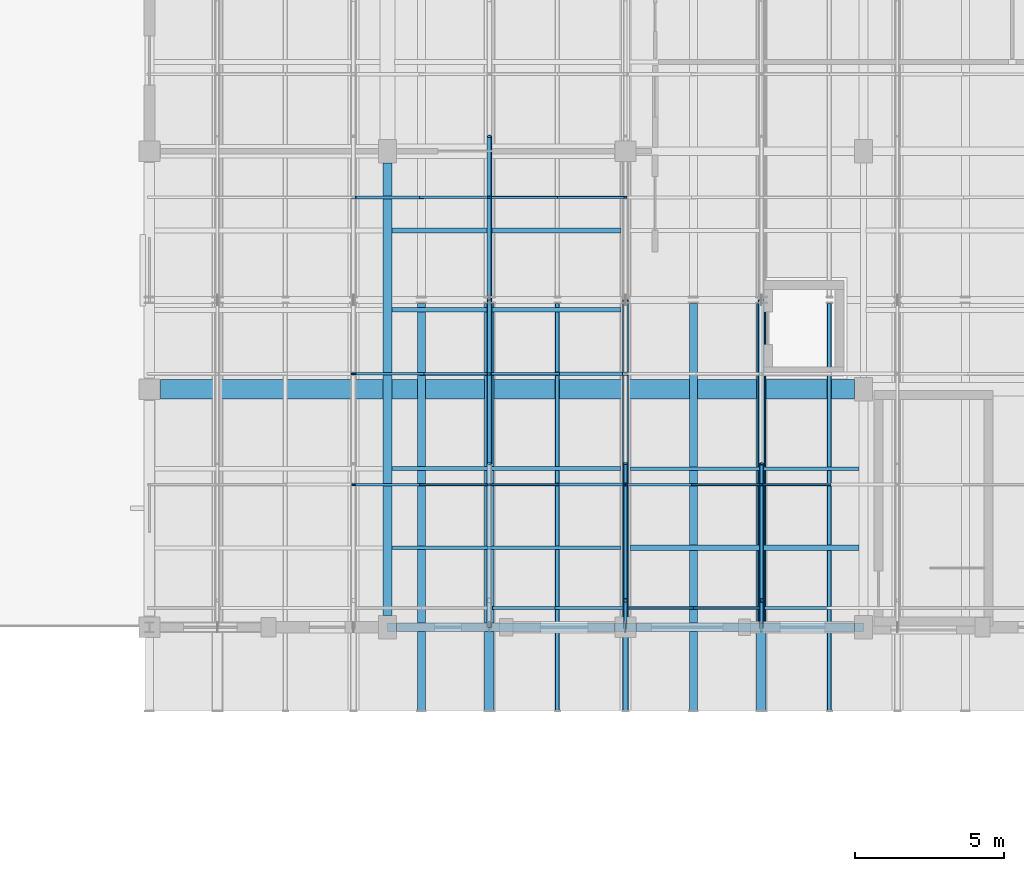
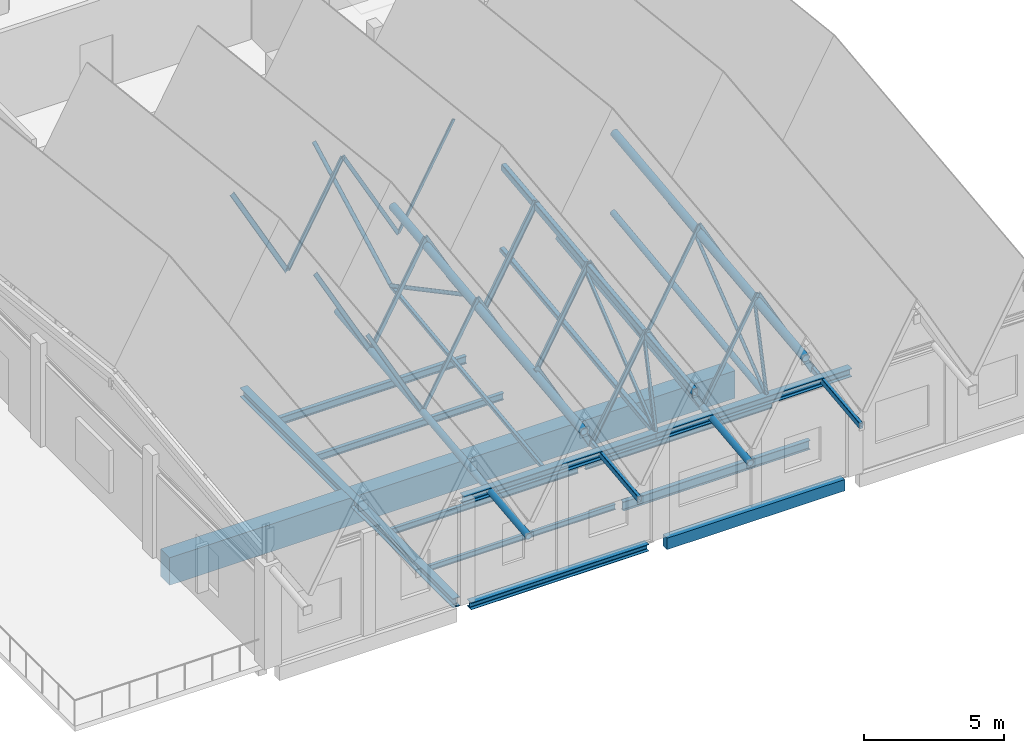
# One storey, part 18 of 48: 29 members, 19 beams.
"""IFC4 building model written with IfcOpenShell, lengths in metres."""

from ifc_helpers import new_model, si_unit, direction, frame, origin, origin_2d, place, context, subcontext, project, spatial, rectangle, hollow_rectangle, hollow_circle, i_section, extrude, material, material_profile, profile_set, type_object, element, save


model = new_model("IFC4")

# Units and contexts
model_context = context("Model", 3, precision=1e-05, world=origin(), true_north=direction((0.0, 1.0)))
body_context = subcontext(model_context, "Body", "Model", "MODEL_VIEW")
ifc_project = project(units=[si_unit("LENGTHUNIT", "METRE"), si_unit("AREAUNIT", "SQUARE_METRE"), si_unit("VOLUMEUNIT", "CUBIC_METRE"), si_unit("PLANEANGLEUNIT", "RADIAN"), si_unit("MASSUNIT", "GRAM", prefix="KILO")], contexts=[model_context])

# Site, building, storey
site_placement = place(None, origin())
site = spatial("IfcSite", under=ifc_project, at=site_placement, CompositionType="ELEMENT")
building_placement = place(site_placement, origin())
building = spatial("IfcBuilding", under=site, at=building_placement, Name="Luwemba Playhouse", CompositionType="ELEMENT")
storey_placement = place(building_placement, frame((0.0, 0.0, 13.800048828125)))
storey = spatial("IfcBuildingStorey", under=building, at=storey_placement, Name="L03", CompositionType="ELEMENT", Elevation=13.800048828125)

# Beams
ifc_material_1 = material(Name="Concrete C40/50", Category="concrete")
ifc_material_profile_1 = material_profile(ifc_material_1, rectangle(XDim=0.64990234375, YDim=1.199951171875, at=origin_2d()))
ifc_profile_set_1 = profile_set([ifc_material_profile_1], Name="Concrete C40/50")
beam_type_1 = type_object("IfcBeamType", Name="BM-RB11", PredefinedType="BEAM", material=ifc_profile_set_1)
beam_1_placement = place(storey_placement, frame((140.375, 76.0, -0.830078125), z_axis=(1.0, 0.0, 0.0), x_axis=(0.0, 1.0, 0.0)))
element("IfcBeam", 1, at=beam_1_placement, inside=storey, type_object=beam_type_1, Name="L03 grid girder 0862", PredefinedType="BEAM", context=body_context, shape_type="SweptSolid", body=[
    extrude(rectangle(XDim=0.64990234375, YDim=1.199951171875, at=origin_2d()), origin(), (0.0, 0.0, 1.0), 23.324951171875),
])
ifc_material_2 = material(Name="Steel S355", Category="steel")
ifc_material_profile_2 = material_profile(ifc_material_2, hollow_rectangle(XDim=0.14990234375, YDim=0.25, WallThickness=0.010009765625, InnerFilletRadius=0.014892578125, OuterFilletRadius=0.02490234375, at=origin_2d()))
ifc_profile_set_2 = profile_set([ifc_material_profile_2], Name="Steel S355")
beam_type_2 = type_object("IfcBeamType", Name="BM-RTG1", PredefinedType="USERDEFINED", material=ifc_profile_set_2)
for number, where, z_axis, x_axis, name in (
    (2, (153.71435546875, 65.199951171875, 4.0009765625), (0.0, 0.993769306798, 0.111456560446), (-1.0, 0.0, 0.0), "ROOF TRUSS valley girder 0224"),
    (3, (162.857177734375, 65.199951171875, 4.000732421875), (0.0, 0.99376734367, 0.111474062697), (-1.0, 0.0, 0.0), "ROOF TRUSS valley girder 0232"),
):
    element("IfcBeam", number, at=place(storey_placement, frame(where, z_axis=z_axis, x_axis=x_axis)), inside=storey, type_object=beam_type_2, Name=name, ObjectType="ROOF TRUSS", PredefinedType="USERDEFINED", context=body_context, shape_type="SweptSolid", body=[
        extrude(hollow_rectangle(XDim=0.14990234375, YDim=0.25, WallThickness=0.010009765625, InnerFilletRadius=0.014892578125, OuterFilletRadius=0.02490234375, at=origin_2d()), origin(), (0.0, 0.0, 1.0), 13.77587890625),
    ])
ifc_material_profile_3 = material_profile(ifc_material_2, hollow_rectangle(XDim=0.199951171875, YDim=0.300048828125, WallThickness=0.012451171875, InnerFilletRadius=0.018798828125, OuterFilletRadius=0.03125, at=origin_2d()))
ifc_profile_set_3 = profile_set([ifc_material_profile_3], Name="Steel S355")
beam_type_3 = type_object("IfcBeamType", Name="BM-RTG2", PredefinedType="USERDEFINED", material=ifc_profile_set_3)
beam_2_placement = place(storey_placement, frame((156.0, 65.199951171875, 7.876953125), z_axis=(0.0, 0.993769306798, 0.111456560446), x_axis=(-1.0, 0.0, 0.0)))
element("IfcBeam", 4, at=beam_2_placement, inside=storey, type_object=beam_type_3, Name="ROOF TRUSS ridge girder 0226", ObjectType="ROOF TRUSS", PredefinedType="USERDEFINED", context=body_context, shape_type="SweptSolid", body=[
    extrude(hollow_rectangle(XDim=0.199951171875, YDim=0.300048828125, WallThickness=0.012451171875, InnerFilletRadius=0.018798828125, OuterFilletRadius=0.03125, at=origin_2d()), origin(), (0.0, 0.0, 1.0), 13.77587890625),
])
ifc_material_profile_4 = material_profile(ifc_material_2, hollow_circle(Radius=0.136474609375, WallThickness=0.012451171875, at=origin_2d()))
ifc_profile_set_4 = profile_set([ifc_material_profile_4], Name="Steel S355")
beam_type_4 = type_object("IfcBeamType", Name="BM-RTG3", PredefinedType="USERDEFINED", material=ifc_profile_set_4)
for number, where, z_axis, x_axis, name in (
    (5, (149.142822265625, 65.199951171875, 3.989501953125), (0.0, 0.993769306798, 0.111456560446), (-1.0, 0.0, 0.0), "ROOF TRUSS valley girder 0220"),
    (6, (158.28564453125, 65.199951171875, 3.9892578125), (0.0, 0.99376734367, 0.111474062697), (-1.0, 0.0, 0.0), "ROOF TRUSS valley girder 0228"),
):
    element("IfcBeam", number, at=place(storey_placement, frame(where, z_axis=z_axis, x_axis=x_axis)), inside=storey, type_object=beam_type_4, Name=name, ObjectType="ROOF TRUSS", PredefinedType="USERDEFINED", context=body_context, shape_type="SweptSolid", body=[
        extrude(hollow_circle(Radius=0.136474609375, WallThickness=0.012451171875, at=origin_2d()), origin(), (0.0, 0.0, 1.0), 13.77587890625),
    ])
ifc_material_profile_5 = material_profile(ifc_material_2, hollow_circle(Radius=0.161865234375, WallThickness=0.01611328125, at=origin_2d()))
ifc_profile_set_5 = profile_set([ifc_material_profile_5], Name="Steel S355")
beam_type_5 = type_object("IfcBeamType", Name="BM-RTG4", PredefinedType="USERDEFINED", material=ifc_profile_set_5)
for number, where, z_axis, x_axis, name in (
    (7, (151.4287109375, 65.199951171875, 7.751953125), (0.0, 0.99376734367, 0.111474062697), (-1.0, 0.0, 0.0), "ROOF TRUSS ridge girder 0222"),
    (8, (160.5712890625, 65.199951171875, 7.752197265625), (0.0, 0.993769306798, 0.111456560446), (-1.0, 0.0, 0.0), "ROOF TRUSS ridge girder 0230"),
):
    element("IfcBeam", number, at=place(storey_placement, frame(where, z_axis=z_axis, x_axis=x_axis)), inside=storey, type_object=beam_type_5, Name=name, ObjectType="ROOF TRUSS", PredefinedType="USERDEFINED", context=body_context, shape_type="SweptSolid", body=[
        extrude(hollow_circle(Radius=0.161865234375, WallThickness=0.01611328125, at=origin_2d()), origin(), (0.0, 0.0, 1.0), 13.77587890625),
    ])
ifc_material_profile_6 = material_profile(ifc_material_2, i_section(OverallWidth=0.300048828125, OverallDepth=0.360107421875, WebThickness=0.012451171875, FlangeThickness=0.0224609375, FilletRadius=0.027099609375, at=origin_2d()))
ifc_profile_set_6 = profile_set([ifc_material_profile_6], Name="Steel S355")
beam_type_6 = type_object("IfcBeamType", Name="BM-SB09", PredefinedType="BEAM", material=ifc_profile_set_6)
for number, where, z_axis, x_axis, name in (
    (9, (148.0, 68.0, 4.320068359375), (1.0, 0.0, 0.0), (0.0, 1.0, 0.0), "RF-V4 eave ring beam 0196"),
    (10, (156.0, 68.0, 4.320068359375), (1.0, 0.0, 0.0), (0.0, 1.0, 0.0), "RF-V4 eave ring beam 0197"),
):
    element("IfcBeam", number, at=place(storey_placement, frame(where, z_axis=z_axis, x_axis=x_axis)), inside=storey, type_object=beam_type_6, Name=name, PredefinedType="BEAM", context=body_context, shape_type="SweptSolid", body=[
        extrude(i_section(OverallWidth=0.300048828125, OverallDepth=0.360107421875, WebThickness=0.012451171875, FlangeThickness=0.0224609375, FilletRadius=0.027099609375, at=origin_2d()), origin(), (0.0, 0.0, 1.0), 8.0),
    ])
ifc_material_profile_7 = material_profile(ifc_material_2, i_section(OverallWidth=0.300048828125, OverallDepth=0.39990234375, WebThickness=0.013427734375, FlangeThickness=0.02392578125, FilletRadius=0.027099609375, at=origin_2d()))
ifc_profile_set_7 = profile_set([ifc_material_profile_7], Name="Steel S355")
beam_type_7 = type_object("IfcBeamType", Name="BM-SB10", PredefinedType="BEAM", material=ifc_profile_set_7)
beam_3_placement = place(storey_placement, frame((148.0, 68.39990234375, -0.429931640625), z_axis=(0.0, 1.0, 0.0), x_axis=(-1.0, 0.0, 0.0)))
element("IfcBeam", 11, at=beam_3_placement, inside=storey, type_object=beam_type_7, Name="L03 transverse girder 0875", PredefinedType="BEAM", context=body_context, shape_type="SweptSolid", body=[
    extrude(i_section(OverallWidth=0.300048828125, OverallDepth=0.39990234375, WebThickness=0.013427734375, FlangeThickness=0.02392578125, FilletRadius=0.027099609375, at=origin_2d()), origin(), (0.0, 0.0, 1.0), 15.2001953125),
])
ifc_material_profile_8 = material_profile(ifc_material_2, i_section(OverallWidth=0.1201171875, OverallDepth=0.239990234375, WebThickness=0.006103515625, FlangeThickness=0.009765625, FilletRadius=0.014892578125, at=origin_2d()))
ifc_profile_set_8 = profile_set([ifc_material_profile_8], Name="Steel S355")
beam_type_8 = type_object("IfcBeamType", Name="BM-SJ03", PredefinedType="JOIST", material=ifc_profile_set_8)
for number, where, z_axis, x_axis, name in (
    (12, (148.14599609375, 70.666748046875, -0.35009765625), (1.0, 0.0, 0.0), (0.0, 1.0, 0.0), "L03 composite floor joist 0494"),
    (13, (156.14599609375, 73.333251953125, -0.35009765625), (1.0, 0.0, 0.0), (0.0, 1.0, 0.0), "L03 composite floor joist 0500"),
):
    element("IfcBeam", number, at=place(storey_placement, frame(where, z_axis=z_axis, x_axis=x_axis)), inside=storey, type_object=beam_type_8, Name=name, PredefinedType="JOIST", context=body_context, shape_type="SweptSolid", body=[
        extrude(i_section(OverallWidth=0.1201171875, OverallDepth=0.239990234375, WebThickness=0.006103515625, FlangeThickness=0.009765625, FilletRadius=0.014892578125, at=origin_2d()), origin(), (0.0, 0.0, 1.0), 7.7080078125),
    ])
ifc_material_profile_9 = material_profile(ifc_material_2, i_section(OverallWidth=0.135009765625, OverallDepth=0.27001953125, WebThickness=0.006591796875, FlangeThickness=0.01025390625, FilletRadius=0.014892578125, at=origin_2d()))
ifc_profile_set_9 = profile_set([ifc_material_profile_9], Name="Steel S355")
beam_type_9 = type_object("IfcBeamType", Name="BM-SJ04", PredefinedType="JOIST", material=ifc_profile_set_9)
beam_4_placement = place(storey_placement, frame((148.14599609375, 73.333251953125, -0.364990234375), z_axis=(1.0, 0.0, 0.0), x_axis=(0.0, 1.0, 0.0)))
element("IfcBeam", 14, at=beam_4_placement, inside=storey, type_object=beam_type_9, Name="L03 composite floor joist 0495", PredefinedType="JOIST", context=body_context, shape_type="SweptSolid", body=[
    extrude(i_section(OverallWidth=0.135009765625, OverallDepth=0.27001953125, WebThickness=0.006591796875, FlangeThickness=0.01025390625, FilletRadius=0.014892578125, at=origin_2d()), origin(), (0.0, 0.0, 1.0), 7.7080078125),
])
ifc_material_profile_10 = material_profile(ifc_material_2, i_section(OverallWidth=0.14990234375, OverallDepth=0.300048828125, WebThickness=0.007080078125, FlangeThickness=0.0107421875, FilletRadius=0.014892578125, at=origin_2d()))
ifc_profile_set_10 = profile_set([ifc_material_profile_10], Name="Steel S355")
beam_type_10 = type_object("IfcBeamType", Name="BM-SJ05", PredefinedType="JOIST", material=ifc_profile_set_10)
beam_5_placement = place(storey_placement, frame((148.14599609375, 78.666748046875, -0.380126953125), z_axis=(1.0, 0.0, 0.0), x_axis=(0.0, 1.0, 0.0)))
element("IfcBeam", 15, at=beam_5_placement, inside=storey, type_object=beam_type_10, Name="L03 composite floor joist 0496", PredefinedType="JOIST", context=body_context, shape_type="SweptSolid", body=[
    extrude(i_section(OverallWidth=0.14990234375, OverallDepth=0.300048828125, WebThickness=0.007080078125, FlangeThickness=0.0107421875, FilletRadius=0.014892578125, at=origin_2d()), origin(), (0.0, 0.0, 1.0), 7.7080078125),
])
ifc_material_profile_11 = material_profile(ifc_material_2, i_section(OverallWidth=0.159912109375, OverallDepth=0.330078125, WebThickness=0.007568359375, FlangeThickness=0.011474609375, FilletRadius=0.01806640625, at=origin_2d()))
ifc_profile_set_11 = profile_set([ifc_material_profile_11], Name="Steel S355")
beam_type_11 = type_object("IfcBeamType", Name="BM-SJ06", PredefinedType="JOIST", material=ifc_profile_set_11)
beam_6_placement = place(storey_placement, frame((148.14599609375, 81.333251953125, -0.39501953125), z_axis=(1.0, 0.0, 0.0), x_axis=(0.0, 1.0, 0.0)))
element("IfcBeam", 16, at=beam_6_placement, inside=storey, type_object=beam_type_11, Name="L03 composite floor joist 0497", PredefinedType="JOIST", context=body_context, shape_type="SweptSolid", body=[
    extrude(i_section(OverallWidth=0.159912109375, OverallDepth=0.330078125, WebThickness=0.007568359375, FlangeThickness=0.011474609375, FilletRadius=0.01806640625, at=origin_2d()), origin(), (0.0, 0.0, 1.0), 7.7080078125),
])
ifc_material_profile_12 = material_profile(ifc_material_2, i_section(OverallWidth=0.179931640625, OverallDepth=0.39990234375, WebThickness=0.008544921875, FlangeThickness=0.013427734375, FilletRadius=0.02099609375, at=origin_2d()))
ifc_profile_set_12 = profile_set([ifc_material_profile_12], Name="Steel S355")
beam_type_12 = type_object("IfcBeamType", Name="BM-SJ08", PredefinedType="JOIST", material=ifc_profile_set_12)
beam_7_placement = place(storey_placement, frame((156.14599609375, 70.666748046875, -0.429931640625), z_axis=(1.0, 0.0, 0.0), x_axis=(0.0, 1.0, 0.0)))
element("IfcBeam", 17, at=beam_7_placement, inside=storey, type_object=beam_type_12, Name="L03 composite floor joist 0499", PredefinedType="JOIST", context=body_context, shape_type="SweptSolid", body=[
    extrude(i_section(OverallWidth=0.179931640625, OverallDepth=0.39990234375, WebThickness=0.008544921875, FlangeThickness=0.013427734375, FilletRadius=0.02099609375, at=origin_2d()), origin(), (0.0, 0.0, 1.0), 7.7080078125),
])
ifc_material_profile_13 = material_profile(ifc_material_1, rectangle(XDim=0.300048828125, YDim=0.5, at=origin_2d()))
ifc_profile_set_13 = profile_set([ifc_material_profile_13], Name="Concrete C40/50")
beam_type_13 = type_object("IfcBeamType", Name="BM-SP1", PredefinedType="SPANDREL", material=ifc_profile_set_13)
beam_8_placement = place(storey_placement, frame((156.375, 68.0, -0.47998046875), z_axis=(1.0, 0.0, 0.0), x_axis=(0.0, 1.0, 0.0)))
element("IfcBeam", 18, at=beam_8_placement, inside=storey, type_object=beam_type_13, Name="L03 grid girder 0860", PredefinedType="SPANDREL", context=body_context, shape_type="SweptSolid", body=[
    extrude(rectangle(XDim=0.300048828125, YDim=0.5, at=origin_2d()), origin(), (0.0, 0.0, 1.0), 7.324951171875),
])
ifc_material_profile_14 = material_profile(ifc_material_2, i_section(OverallWidth=0.300048828125, OverallDepth=0.300048828125, WebThickness=0.010986328125, FlangeThickness=0.01904296875, FilletRadius=0.027099609375, at=origin_2d()))
ifc_profile_set_14 = profile_set([ifc_material_profile_14], Name="Steel S355")
beam_type_14 = type_object("IfcBeamType", Name="BM-SSP1", PredefinedType="SPANDREL", material=ifc_profile_set_14)
beam_9_placement = place(storey_placement, frame((148.300048828125, 68.0, -0.380126953125), z_axis=(1.0, 0.0, 0.0), x_axis=(0.0, 1.0, 0.0)))
element("IfcBeam", 19, at=beam_9_placement, inside=storey, type_object=beam_type_14, Name="L03 grid girder 0859", PredefinedType="SPANDREL", context=body_context, shape_type="SweptSolid", body=[
    extrude(i_section(OverallWidth=0.300048828125, OverallDepth=0.300048828125, WebThickness=0.010986328125, FlangeThickness=0.01904296875, FilletRadius=0.027099609375, at=origin_2d()), origin(), (0.0, 0.0, 1.0), 7.324951171875),
])

# Members
ifc_material_profile_15 = material_profile(ifc_material_2, hollow_circle(Radius=0.06982421875, WallThickness=0.008056640625, at=origin_2d()))
ifc_profile_set_15 = profile_set([ifc_material_profile_15], Name="Steel S355")
member_type_1 = type_object("IfcMemberType", Name="MEM-MB01", PredefinedType="BRACE", material=ifc_profile_set_15)
member_1_placement = place(storey_placement, frame((160.5712890625, 68.0, 4.39990234375), z_axis=(0.0, 0.788974908765, 0.614425417231), x_axis=(-1.0, 0.0, 0.0)))
element("IfcMember", 20, at=member_1_placement, inside=storey, type_object=member_type_1, Name="ROOF TRUSS web diagonal 0207", PredefinedType="BRACE", context=body_context, shape_type="SweptSolid", body=[
    extrude(hollow_circle(Radius=0.06982421875, WallThickness=0.008056640625, at=origin_2d()), origin(), (0.0, 0.0, 1.0), 6.97119140625),
])
member_2_placement = place(storey_placement, frame((160.5712890625, 68.0, 4.39990234375), z_axis=(0.0, 0.2323334223, 0.972636201713), x_axis=(-1.0, 0.0, 0.0)))
element("IfcMember", 21, at=member_2_placement, inside=storey, type_object=member_type_1, Name="ROOF TRUSS eave knee strut 0052", PredefinedType="BRACE", context=body_context, shape_type="SweptSolid", body=[
    extrude(hollow_circle(Radius=0.06982421875, WallThickness=0.008056640625, at=origin_2d()), origin(), (0.0, 0.0, 1.0), 3.873291015625),
])
ifc_material_profile_16 = material_profile(ifc_material_2, hollow_circle(Radius=0.084228515625, WallThickness=0.008056640625, at=origin_2d()))
ifc_profile_set_16 = profile_set([ifc_material_profile_16], Name="Steel S355")
member_type_2 = type_object("IfcMemberType", Name="MEM-MB02", PredefinedType="BRACE", material=ifc_profile_set_16)
for number, where, z_axis, x_axis, name in (
    (22, (151.4287109375, 79.0, 5.753662109375), (0.0, -0.882628264276, 0.470071640393), (1.0, 0.0, 0.0), "ROOF TRUSS web diagonal 0196"),
    (23, (151.4287109375, 79.0, 5.753662109375), (0.0, 0.882628264276, 0.470071640393), (-1.0, 0.0, 0.0), "ROOF TRUSS web diagonal 0197"),
):
    element("IfcMember", number, at=place(storey_placement, frame(where, z_axis=z_axis, x_axis=x_axis)), inside=storey, type_object=member_type_2, Name=name, PredefinedType="BRACE", context=body_context, shape_type="SweptSolid", body=[
        extrude(hollow_circle(Radius=0.084228515625, WallThickness=0.008056640625, at=origin_2d()), origin(), (0.0, 0.0, 1.0), 6.2314453125),
    ])
ifc_material_profile_17 = material_profile(ifc_material_2, hollow_rectangle(XDim=0.1201171875, YDim=0.1201171875, WallThickness=0.008056640625, InnerFilletRadius=0.011962890625, OuterFilletRadius=0.02001953125, at=origin_2d()))
ifc_profile_set_17 = profile_set([ifc_material_profile_17], Name="Steel S355")
member_type_3 = type_object("IfcMemberType", Name="MEM-MB06", PredefinedType="BRACE", material=ifc_profile_set_17)
member_3_placement = place(storey_placement, frame((156.0, 68.0, 4.39990234375), z_axis=(0.0, 0.780317682275, 0.625383334227), x_axis=(-1.0, 0.0, 0.0)))
element("IfcMember", 24, at=member_3_placement, inside=storey, type_object=member_type_3, Name="ROOF TRUSS web diagonal 0201", PredefinedType="BRACE", context=body_context, shape_type="SweptSolid", body=[
    extrude(hollow_rectangle(XDim=0.1201171875, YDim=0.1201171875, WallThickness=0.008056640625, InnerFilletRadius=0.011962890625, OuterFilletRadius=0.02001953125, at=origin_2d()), origin(), (0.0, 0.0, 1.0), 7.04833984375),
])
member_4_placement = place(storey_placement, frame((156.0, 68.0, 4.39990234375), z_axis=(0.0, 0.225270125024, 0.974296346484), x_axis=(-1.0, 0.0, 0.0)))
element("IfcMember", 25, at=member_4_placement, inside=storey, type_object=member_type_3, Name="ROOF TRUSS eave knee strut 0050", PredefinedType="BRACE", context=body_context, shape_type="SweptSolid", body=[
    extrude(hollow_rectangle(XDim=0.1201171875, YDim=0.1201171875, WallThickness=0.008056640625, InnerFilletRadius=0.011962890625, OuterFilletRadius=0.02001953125, at=origin_2d()), origin(), (0.0, 0.0, 1.0), 3.994873046875),
])
ifc_material_profile_18 = material_profile(ifc_material_2, hollow_circle(Radius=0.122314453125, WallThickness=0.012451171875, at=origin_2d()))
ifc_profile_set_18 = profile_set([ifc_material_profile_18], Name="Steel S355")
member_type_4 = type_object("IfcMemberType", Name="MEM-MC01", PredefinedType="CHORD", material=ifc_profile_set_18)
member_5_placement = place(storey_placement, frame((160.5712890625, 68.0, 4.39990234375), z_axis=(0.0, 0.992511955912, 0.122147522983), x_axis=(-1.0, 0.0, 0.0)))
element("IfcMember", 26, at=member_5_placement, inside=storey, type_object=member_type_4, Name="ROOF TRUSS south bottom chord 0205", PredefinedType="CHORD", context=body_context, shape_type="SweptSolid", body=[
    extrude(hollow_circle(Radius=0.122314453125, WallThickness=0.012451171875, at=origin_2d()), origin(), (0.0, 0.0, 1.0), 11.0830078125),
])
ifc_material_profile_19 = material_profile(ifc_material_2, hollow_rectangle(XDim=0.14990234375, YDim=0.14990234375, WallThickness=0.010009765625, InnerFilletRadius=0.014892578125, OuterFilletRadius=0.02490234375, at=origin_2d()))
ifc_profile_set_19 = profile_set([ifc_material_profile_19], Name="Steel S355")
member_type_5 = type_object("IfcMemberType", Name="MEM-MC02", PredefinedType="CHORD", material=ifc_profile_set_19)
member_6_placement = place(storey_placement, frame((151.4287109375, 68.0, 4.39990234375), z_axis=(0.0, 0.992511955912, 0.122147522983), x_axis=(-1.0, 0.0, 0.0)))
element("IfcMember", 27, at=member_6_placement, inside=storey, type_object=member_type_5, Name="ROOF TRUSS south bottom chord 0193", PredefinedType="CHORD", context=body_context, shape_type="SweptSolid", body=[
    extrude(hollow_rectangle(XDim=0.14990234375, YDim=0.14990234375, WallThickness=0.010009765625, InnerFilletRadius=0.014892578125, OuterFilletRadius=0.02490234375, at=origin_2d()), origin(), (0.0, 0.0, 1.0), 11.0830078125),
])
ifc_material_profile_20 = material_profile(ifc_material_2, hollow_rectangle(XDim=0.199951171875, YDim=0.199951171875, WallThickness=0.012451171875, InnerFilletRadius=0.018798828125, OuterFilletRadius=0.03125, at=origin_2d()))
ifc_profile_set_20 = profile_set([ifc_material_profile_20], Name="Steel S355")
member_type_6 = type_object("IfcMemberType", Name="MEM-MC04", PredefinedType="CHORD", material=ifc_profile_set_20)
member_7_placement = place(storey_placement, frame((156.0, 68.0, 4.39990234375), z_axis=(0.0, 0.992511955912, 0.122147522983), x_axis=(-1.0, 0.0, 0.0)))
element("IfcMember", 28, at=member_7_placement, inside=storey, type_object=member_type_6, Name="ROOF TRUSS south bottom chord 0199", PredefinedType="CHORD", context=body_context, shape_type="SweptSolid", body=[
    extrude(hollow_rectangle(XDim=0.199951171875, YDim=0.199951171875, WallThickness=0.012451171875, InnerFilletRadius=0.018798828125, OuterFilletRadius=0.03125, at=origin_2d()), origin(), (0.0, 0.0, 1.0), 11.0830078125),
])
ifc_material_profile_21 = material_profile(ifc_material_2, hollow_rectangle(XDim=0.080078125, YDim=0.1201171875, WallThickness=0.00634765625, InnerFilletRadius=0.009521484375, OuterFilletRadius=0.015869140625, at=origin_2d()))
ifc_profile_set_21 = profile_set([ifc_material_profile_21], Name="Steel S355")
member_type_7 = type_object("IfcMemberType", Name="MEM-MP01", PredefinedType="PURLIN", material=ifc_profile_set_21)
for number, where, z_axis, x_axis, name in (
    (29, (151.4287109375, 72.7900390625, 9.015380859375), (0.48100334235, 0.0, -0.876718760292), (0.0, 1.0, 0.0), "Pleated roof purlin 0392"),
    (30, (153.71435546875, 82.449951171875, 5.158935546875), (0.48100334235, 0.0, 0.876718760292), (0.0, 1.0, 0.0), "Pleated roof purlin 0400"),
):
    element("IfcMember", number, at=place(storey_placement, frame(where, z_axis=z_axis, x_axis=x_axis)), inside=storey, type_object=member_type_7, Name=name, PredefinedType="PURLIN", context=body_context, shape_type="SweptSolid", body=[
        extrude(hollow_rectangle(XDim=0.080078125, YDim=0.1201171875, WallThickness=0.00634765625, InnerFilletRadius=0.009521484375, OuterFilletRadius=0.015869140625, at=origin_2d()), origin(), (0.0, 0.0, 1.0), 4.751708984375),
    ])
member_8_placement = place(storey_placement, frame((160.5712890625, 72.7900390625, 9.015625), z_axis=(0.481021165728, 0.0, -0.876708981431), x_axis=(0.0, 1.0, 0.0)))
element("IfcMember", 31, at=member_8_placement, inside=storey, type_object=member_type_7, Name="Pleated roof purlin 0416", PredefinedType="PURLIN", context=body_context, shape_type="SweptSolid", body=[
    extrude(hollow_rectangle(XDim=0.080078125, YDim=0.1201171875, WallThickness=0.00634765625, InnerFilletRadius=0.009521484375, OuterFilletRadius=0.015869140625, at=origin_2d()), origin(), (0.0, 0.0, 1.0), 4.752197265625),
])
ifc_material_profile_22 = material_profile(ifc_material_2, hollow_rectangle(XDim=0.10009765625, YDim=0.14990234375, WallThickness=0.008056640625, InnerFilletRadius=0.011962890625, OuterFilletRadius=0.02001953125, at=origin_2d()))
ifc_profile_set_22 = profile_set([ifc_material_profile_22], Name="Steel S355")
member_type_8 = type_object("IfcMemberType", Name="MEM-MP02", PredefinedType="PURLIN", material=ifc_profile_set_22)
for number, where, z_axis, x_axis, name in (
    (32, (151.4287109375, 76.51611328125, 9.400146484375), (0.480981676724, 0.0, -0.876730646582), (0.0, 1.0, 0.0), "Pleated roof purlin 0393"),
    (33, (158.28564453125, 68.64990234375, 4.3515625), (0.480981676724, 0.0, 0.876730646582), (0.0, 1.0, 0.0), "Pleated roof purlin 0409"),
):
    element("IfcMember", number, at=place(storey_placement, frame(where, z_axis=z_axis, x_axis=x_axis)), inside=storey, type_object=member_type_8, Name=name, PredefinedType="PURLIN", context=body_context, shape_type="SweptSolid", body=[
        extrude(hollow_rectangle(XDim=0.10009765625, YDim=0.14990234375, WallThickness=0.008056640625, InnerFilletRadius=0.011962890625, OuterFilletRadius=0.02001953125, at=origin_2d()), origin(), (0.0, 0.0, 1.0), 4.751953125),
    ])
ifc_material_profile_23 = material_profile(ifc_material_2, hollow_rectangle(XDim=0.080078125, YDim=0.159912109375, WallThickness=0.00634765625, InnerFilletRadius=0.009521484375, OuterFilletRadius=0.015869140625, at=origin_2d()))
ifc_profile_set_23 = profile_set([ifc_material_profile_23], Name="Steel S355")
member_type_9 = type_object("IfcMemberType", Name="MEM-MP03", PredefinedType="PURLIN", material=ifc_profile_set_23)
member_9_placement = place(storey_placement, frame((149.142822265625, 72.7900390625, 4.829345703125), z_axis=(0.481021165728, 0.0, 0.876708981431), x_axis=(0.0, 1.0, 0.0)))
element("IfcMember", 34, at=member_9_placement, inside=storey, type_object=member_type_9, Name="Pleated roof purlin 0386", PredefinedType="PURLIN", context=body_context, shape_type="SweptSolid", body=[
    extrude(hollow_rectangle(XDim=0.080078125, YDim=0.159912109375, WallThickness=0.00634765625, InnerFilletRadius=0.009521484375, OuterFilletRadius=0.015869140625, at=origin_2d()), origin(), (0.0, 0.0, 1.0), 4.752197265625),
])
for number, where, z_axis, x_axis, name in (
    (35, (151.4287109375, 82.449951171875, 9.304931640625), (0.48100334235, 0.0, -0.876718760292), (0.0, 1.0, 0.0), "Pleated roof purlin 0394"),
    (36, (158.28564453125, 72.7900390625, 4.829345703125), (0.48100334235, 0.0, 0.876718760292), (0.0, 1.0, 0.0), "Pleated roof purlin 0410"),
):
    element("IfcMember", number, at=place(storey_placement, frame(where, z_axis=z_axis, x_axis=x_axis)), inside=storey, type_object=member_type_9, Name=name, PredefinedType="PURLIN", context=body_context, shape_type="SweptSolid", body=[
        extrude(hollow_rectangle(XDim=0.080078125, YDim=0.159912109375, WallThickness=0.00634765625, InnerFilletRadius=0.009521484375, OuterFilletRadius=0.015869140625, at=origin_2d()), origin(), (0.0, 0.0, 1.0), 4.751708984375),
    ])
ifc_material_profile_24 = material_profile(ifc_material_2, hollow_rectangle(XDim=0.10009765625, YDim=0.179931640625, WallThickness=0.008056640625, InnerFilletRadius=0.011962890625, OuterFilletRadius=0.02001953125, at=origin_2d()))
ifc_profile_set_24 = profile_set([ifc_material_profile_24], Name="Steel S355")
member_type_10 = type_object("IfcMemberType", Name="MEM-MP04", PredefinedType="PURLIN", material=ifc_profile_set_24)
member_10_placement = place(storey_placement, frame((149.142822265625, 76.51611328125, 5.218994140625), z_axis=(0.481021165728, 0.0, 0.876708981431), x_axis=(0.0, 1.0, 0.0)))
element("IfcMember", 37, at=member_10_placement, inside=storey, type_object=member_type_10, Name="Pleated roof purlin 0387", PredefinedType="PURLIN", context=body_context, shape_type="SweptSolid", body=[
    extrude(hollow_rectangle(XDim=0.10009765625, YDim=0.179931640625, WallThickness=0.008056640625, InnerFilletRadius=0.011962890625, OuterFilletRadius=0.02001953125, at=origin_2d()), origin(), (0.0, 0.0, 1.0), 4.752197265625),
])
member_11_placement = place(storey_placement, frame((156.0, 68.64990234375, 8.5029296875), z_axis=(0.480981676724, 0.0, -0.876730646582), x_axis=(0.0, 1.0, 0.0)))
element("IfcMember", 38, at=member_11_placement, inside=storey, type_object=member_type_10, Name="Pleated roof purlin 0403", PredefinedType="PURLIN", context=body_context, shape_type="SweptSolid", body=[
    extrude(hollow_rectangle(XDim=0.10009765625, YDim=0.179931640625, WallThickness=0.008056640625, InnerFilletRadius=0.011962890625, OuterFilletRadius=0.02001953125, at=origin_2d()), origin(), (0.0, 0.0, 1.0), 4.751953125),
])
ifc_material_profile_25 = material_profile(ifc_material_2, i_section(OverallWidth=0.08203125, OverallDepth=0.159912109375, WebThickness=0.0048828125, FlangeThickness=0.00732421875, FilletRadius=0.009033203125, at=origin_2d()))
ifc_profile_set_25 = profile_set([ifc_material_profile_25], Name="Steel S355")
member_type_11 = type_object("IfcMemberType", Name="MEM-MP05", PredefinedType="PURLIN", material=ifc_profile_set_25)
member_12_placement = place(storey_placement, frame((146.857177734375, 72.7900390625, 8.99365234375), z_axis=(0.480981676724, 0.0, -0.876730646582), x_axis=(0.0, 1.0, 0.0)))
element("IfcMember", 39, at=member_12_placement, inside=storey, type_object=member_type_11, Name="Pleated roof purlin 0380", PredefinedType="PURLIN", context=body_context, shape_type="SweptSolid", body=[
    extrude(i_section(OverallWidth=0.08203125, OverallDepth=0.159912109375, WebThickness=0.0048828125, FlangeThickness=0.00732421875, FilletRadius=0.009033203125, at=origin_2d()), origin(), (0.0, 0.0, 1.0), 4.751953125),
])
member_13_placement = place(storey_placement, frame((149.142822265625, 82.449951171875, 5.13720703125), z_axis=(0.481021165728, 0.0, 0.876708981431), x_axis=(0.0, 1.0, 0.0)))
element("IfcMember", 40, at=member_13_placement, inside=storey, type_object=member_type_11, Name="Pleated roof purlin 0388", PredefinedType="PURLIN", context=body_context, shape_type="SweptSolid", body=[
    extrude(i_section(OverallWidth=0.08203125, OverallDepth=0.159912109375, WebThickness=0.0048828125, FlangeThickness=0.00732421875, FilletRadius=0.009033203125, at=origin_2d()), origin(), (0.0, 0.0, 1.0), 4.752197265625),
])
member_14_placement = place(storey_placement, frame((156.0, 72.7900390625, 8.99365234375), z_axis=(0.48100334235, 0.0, -0.876718760292), x_axis=(0.0, 1.0, 0.0)))
element("IfcMember", 41, at=member_14_placement, inside=storey, type_object=member_type_11, Name="Pleated roof purlin 0404", PredefinedType="PURLIN", context=body_context, shape_type="SweptSolid", body=[
    extrude(i_section(OverallWidth=0.08203125, OverallDepth=0.159912109375, WebThickness=0.0048828125, FlangeThickness=0.00732421875, FilletRadius=0.009033203125, at=origin_2d()), origin(), (0.0, 0.0, 1.0), 4.751708984375),
])
ifc_material_profile_26 = material_profile(ifc_material_2, i_section(OverallWidth=0.091064453125, OverallDepth=0.179931640625, WebThickness=0.00537109375, FlangeThickness=0.008056640625, FilletRadius=0.009033203125, at=origin_2d()))
ifc_profile_set_26 = profile_set([ifc_material_profile_26], Name="Steel S355")
member_type_12 = type_object("IfcMemberType", Name="MEM-MP06", PredefinedType="PURLIN", material=ifc_profile_set_26)
member_15_placement = place(storey_placement, frame((146.857177734375, 76.51611328125, 9.3935546875), z_axis=(0.480960012757, 0.0, -0.876742531265), x_axis=(0.0, 1.0, 0.0)))
element("IfcMember", 42, at=member_15_placement, inside=storey, type_object=member_type_12, Name="Pleated roof purlin 0381", PredefinedType="PURLIN", context=body_context, shape_type="SweptSolid", body=[
    extrude(i_section(OverallWidth=0.091064453125, OverallDepth=0.179931640625, WebThickness=0.00537109375, FlangeThickness=0.008056640625, FilletRadius=0.009033203125, at=origin_2d()), origin(), (0.0, 0.0, 1.0), 4.752197265625),
])
member_16_placement = place(storey_placement, frame((153.71435546875, 68.64990234375, 4.344970703125), z_axis=(0.480981676724, 0.0, 0.876730646582), x_axis=(0.0, 1.0, 0.0)))
element("IfcMember", 43, at=member_16_placement, inside=storey, type_object=member_type_12, Name="Pleated roof purlin 0397", PredefinedType="PURLIN", context=body_context, shape_type="SweptSolid", body=[
    extrude(i_section(OverallWidth=0.091064453125, OverallDepth=0.179931640625, WebThickness=0.00537109375, FlangeThickness=0.008056640625, FilletRadius=0.009033203125, at=origin_2d()), origin(), (0.0, 0.0, 1.0), 4.751953125),
])
ifc_material_profile_27 = material_profile(ifc_material_2, i_section(OverallWidth=0.10009765625, OverallDepth=0.199951171875, WebThickness=0.005615234375, FlangeThickness=0.008544921875, FilletRadius=0.011962890625, at=origin_2d()))
ifc_profile_set_27 = profile_set([ifc_material_profile_27], Name="Steel S355")
member_type_13 = type_object("IfcMemberType", Name="MEM-MP07", PredefinedType="PURLIN", material=ifc_profile_set_27)
member_17_placement = place(storey_placement, frame((146.857177734375, 82.449951171875, 9.266845703125), z_axis=(0.480981676724, 0.0, -0.876730646582), x_axis=(0.0, 1.0, 0.0)))
element("IfcMember", 44, at=member_17_placement, inside=storey, type_object=member_type_13, Name="Pleated roof purlin 0382", PredefinedType="PURLIN", context=body_context, shape_type="SweptSolid", body=[
    extrude(i_section(OverallWidth=0.10009765625, OverallDepth=0.199951171875, WebThickness=0.005615234375, FlangeThickness=0.008544921875, FilletRadius=0.011962890625, at=origin_2d()), origin(), (0.0, 0.0, 1.0), 4.751953125),
])
member_18_placement = place(storey_placement, frame((153.71435546875, 72.7900390625, 4.791259765625), z_axis=(0.48100334235, 0.0, 0.876718760292), x_axis=(0.0, 1.0, 0.0)))
element("IfcMember", 45, at=member_18_placement, inside=storey, type_object=member_type_13, Name="Pleated roof purlin 0398", PredefinedType="PURLIN", context=body_context, shape_type="SweptSolid", body=[
    extrude(i_section(OverallWidth=0.10009765625, OverallDepth=0.199951171875, WebThickness=0.005615234375, FlangeThickness=0.008544921875, FilletRadius=0.011962890625, at=origin_2d()), origin(), (0.0, 0.0, 1.0), 4.751708984375),
])
ifc_material_profile_28 = material_profile(ifc_material_2, i_section(OverallWidth=0.110107421875, OverallDepth=0.219970703125, WebThickness=0.005859375, FlangeThickness=0.00927734375, FilletRadius=0.011962890625, at=origin_2d()))
ifc_profile_set_28 = profile_set([ifc_material_profile_28], Name="Steel S355")
member_type_14 = type_object("IfcMemberType", Name="MEM-MP08", PredefinedType="PURLIN", material=ifc_profile_set_28)
for number, where, z_axis, x_axis, name in (
    (46, (151.4287109375, 68.64990234375, 8.4736328125), (0.48100334235, 0.0, -0.876718760292), (0.0, 1.0, 0.0), "Pleated roof purlin 0391"),
    (47, (153.71435546875, 76.51611328125, 5.18994140625), (0.48100334235, 0.0, 0.876718760292), (0.0, 1.0, 0.0), "Pleated roof purlin 0399"),
):
    element("IfcMember", number, at=place(storey_placement, frame(where, z_axis=z_axis, x_axis=x_axis)), inside=storey, type_object=member_type_14, Name=name, PredefinedType="PURLIN", context=body_context, shape_type="SweptSolid", body=[
        extrude(i_section(OverallWidth=0.110107421875, OverallDepth=0.219970703125, WebThickness=0.005859375, FlangeThickness=0.00927734375, FilletRadius=0.011962890625, at=origin_2d()), origin(), (0.0, 0.0, 1.0), 4.751708984375),
    ])
member_19_placement = place(storey_placement, frame((160.5712890625, 68.64990234375, 8.473876953125), z_axis=(0.481021165728, 0.0, -0.876708981431), x_axis=(0.0, 1.0, 0.0)))
element("IfcMember", 48, at=member_19_placement, inside=storey, type_object=member_type_14, Name="Pleated roof purlin 0415", PredefinedType="PURLIN", context=body_context, shape_type="SweptSolid", body=[
    extrude(i_section(OverallWidth=0.110107421875, OverallDepth=0.219970703125, WebThickness=0.005859375, FlangeThickness=0.00927734375, FilletRadius=0.011962890625, at=origin_2d()), origin(), (0.0, 0.0, 1.0), 4.752197265625),
])

save(model, "model.ifc")
